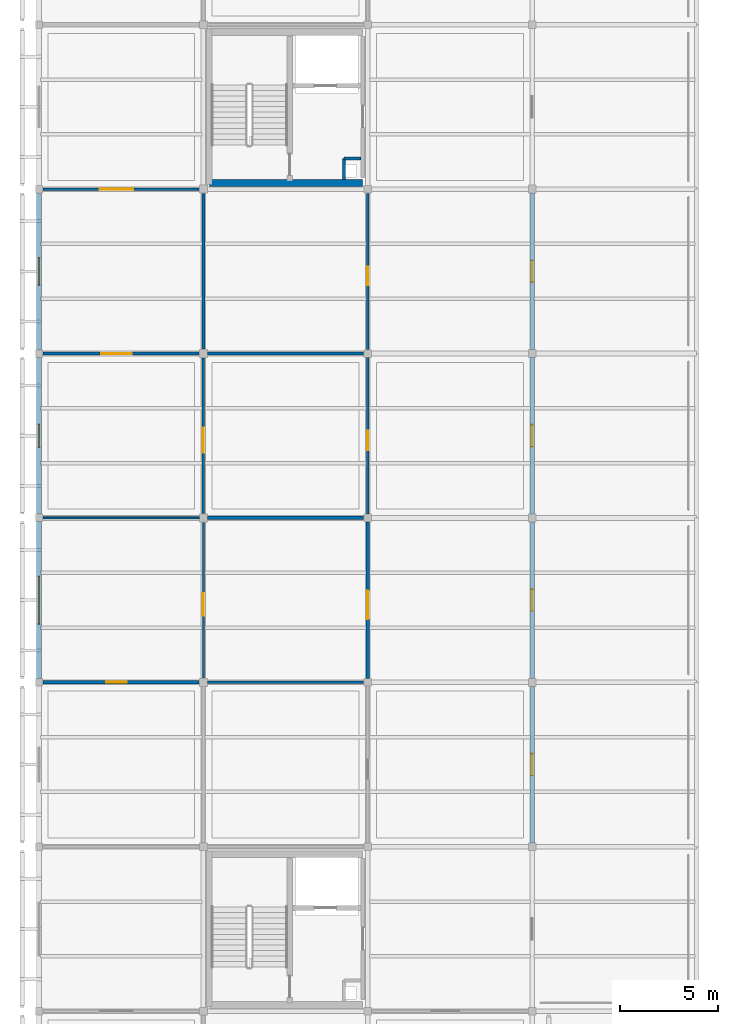
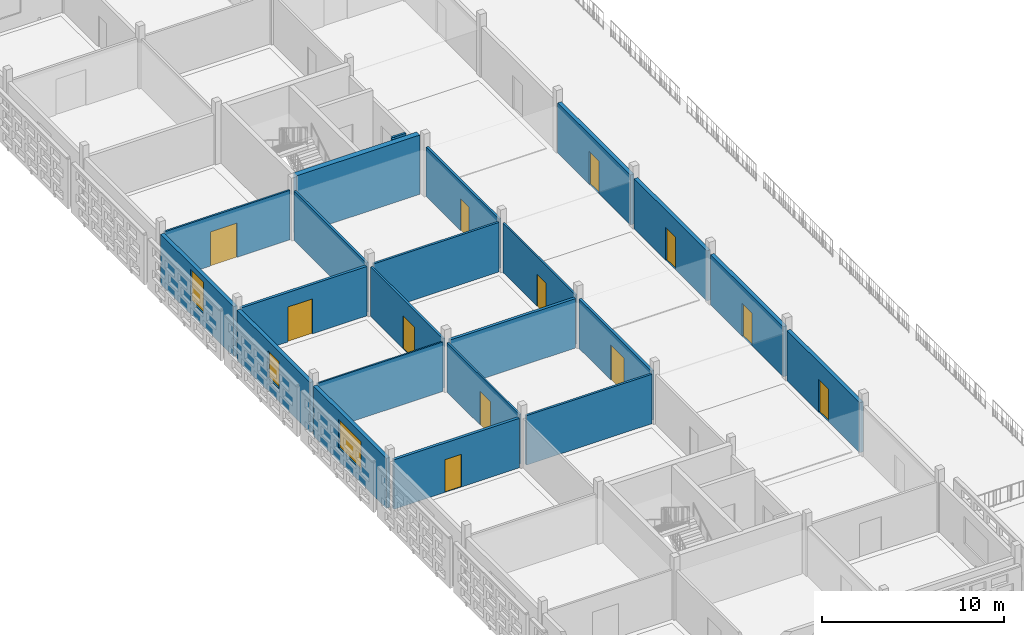
# One storey, part 19 of 31: 23 walls, 12 doors, 3 windows, 15 openings.
"""IFC4 building model written with IfcOpenShell, lengths in metres."""

from ifc_helpers import new_model, si_unit, direction, frame, frame_2d, origin, place, context, subcontext, project, spatial, rectangle, extrude, material, layer, layer_set, type_object, element, fill, save


model = new_model("IFC4")

# Units and contexts
model_context = context("Model", 3, precision=1e-05, world=origin(), true_north=direction((0.0, 1.0)))
body_context = subcontext(model_context, "Body", "Model", "MODEL_VIEW")
ifc_project = project(units=[si_unit("LENGTHUNIT", "METRE"), si_unit("AREAUNIT", "SQUARE_METRE"), si_unit("VOLUMEUNIT", "CUBIC_METRE"), si_unit("PLANEANGLEUNIT", "RADIAN"), si_unit("MASSUNIT", "GRAM", prefix="KILO")], contexts=[model_context])

# Site, building, storey
site_placement = place(None, origin())
site = spatial("IfcSite", under=ifc_project, at=site_placement, CompositionType="ELEMENT")
building_placement = place(site_placement, origin())
building = spatial("IfcBuilding", under=site, at=building_placement, Name="Varnapada Polytechnic", CompositionType="ELEMENT")
storey_placement = place(building_placement, frame((0.0, 0.0, 22.199951171875)))
storey = spatial("IfcBuildingStorey", under=building, at=storey_placement, Name="L05", CompositionType="ELEMENT", Elevation=22.199951171875)

# Walls
ifc_material_1 = material(Name="Autoclaved Aerated Concrete Block AAC-600", Category="concrete")
ifc_layer_1 = layer(ifc_material_1, 0.14990234375)
ifc_layer_set_1 = layer_set([ifc_layer_1], Name="Autoclaved Aerated Concrete Block AAC-600")
wall_type_1 = type_object("IfcWallType", Name="Interior Wall IW-02", PredefinedType="PARTITIONING", material=ifc_layer_set_1)
wall_1_placement = place(storey_placement, frame((15.580078125, 102.360107421875, 0.0), z_axis=(0.0, 0.0, 1.0), x_axis=(0.0, -1.0, 0.0)))
element("IfcWall", 1, at=wall_1_placement, inside=storey, type_object=wall_type_1, Name="L05 C1 riser shaft west wall", PredefinedType="PARTITIONING", context=body_context, shape_type="SweptSolid", body=[
    extrude(rectangle(XDim=1.06005859375, YDim=0.14990234375, at=frame_2d((0.530029296875, 0.0))), origin(), (0.0, 0.0, 1.0), 3.320068359375),
])
wall_2_placement = place(storey_placement, frame((15.580078125, 102.360107421875, 0.0), z_axis=(0.0, 0.0, 1.0), x_axis=(1.0, 0.0, 0.0)))
element("IfcWall", 2, at=wall_2_placement, inside=storey, type_object=wall_type_1, Name="L05 C1 riser shaft north wall", PredefinedType="PARTITIONING", context=body_context, shape_type="SweptSolid", body=[
    extrude(rectangle(XDim=0.85986328125, YDim=0.14990234375, at=frame_2d((0.429931640625, 0.0))), origin(), (0.0, 0.0, 1.0), 3.320068359375),
])
ifc_material_2 = material(Name="Moisture-Resistant Cement Board Partition")
ifc_layer_2 = layer(ifc_material_2, 0.139892578125)
ifc_layer_set_2 = layer_set([ifc_layer_2], Name="Moisture-Resistant Cement Board Partition")
wall_type_2 = type_object("IfcWallType", Name="Interior Wall IW-04", PredefinedType="PARTITIONING", material=ifc_layer_set_2)
wall_3_placement = place(storey_placement, frame((8.39990234375, 92.6201171875, 0.0), z_axis=(0.0, 0.0, 1.0), x_axis=(0.0, 1.0, 0.0)))
element("IfcWall", 3, at=wall_3_placement, inside=storey, type_object=wall_type_2, Name="L05 interior partition IW-L05-00-11-V", PredefinedType="PARTITIONING", context=body_context, shape_type="SweptSolid", body=[
    extrude(rectangle(XDim=7.9599609375, YDim=0.139892578125, at=frame_2d((3.97998046875, 0.0))), origin(), (0.0, 0.0, 1.0), 3.320068359375),
])
for number, where, z_axis, x_axis, name in (
    (4, (8.6201171875, 75.60009765625, 0.0), (0.0, 0.0, 1.0), (1.0, 0.0, 0.0), "L05 interior partition IW-L05-01-08-H"),
    (5, (8.6201171875, 92.39990234375, 0.0), (0.0, 0.0, 1.0), (1.0, 0.0, 0.0), "L05 interior partition IW-L05-01-10-H"),
):
    element("IfcWall", number, at=place(storey_placement, frame(where, z_axis=z_axis, x_axis=x_axis)), inside=storey, type_object=wall_type_2, Name=name, PredefinedType="PARTITIONING", context=body_context, shape_type="SweptSolid", body=[
        extrude(rectangle(XDim=7.969970703125, YDim=0.139892578125, at=frame_2d((3.98486328125, 0.0))), origin(), (0.0, 0.0, 1.0), 3.320068359375),
    ])

# Wall, opening, door
wall_4_placement = place(storey_placement, frame((16.800048828125, 92.610107421875, 0.0), z_axis=(0.0, 0.0, 1.0), x_axis=(0.0, 1.0, 0.0)))
wall_4 = element("IfcWall", 6, at=wall_4_placement, inside=storey, type_object=wall_type_2, Name="L05 interior partition IW-L05-01-11-V", PredefinedType="PARTITIONING", context=body_context, shape_type="SweptSolid", body=[
    extrude(rectangle(XDim=7.97998046875, YDim=0.139892578125, at=frame_2d((3.989990234375, 0.0))), origin(), (0.0, 0.0, 1.0), 3.320068359375),
])
opening_1_placement = place(wall_4_placement, frame((3.27490234375, 0.0, 0.0)))
opening_1 = element("IfcOpeningElement", 7, at=opening_1_placement, cuts=wall_4, Name="Opening D-1327", PredefinedType="OPENING", context=body_context, shape_type="SweptSolid", body=[
    extrude(rectangle(XDim=0.949951171875, YDim=2.14990234375, at=frame_2d((0.47509765625, 1.074951171875))), frame((0.0, 0.079833984375, 0.0), z_axis=(0.0, -1.0, 0.0), x_axis=(1.0, 0.0, 0.0)), (0.0, 0.0, 1.0), 0.159912109375),
])
ifc_material_3 = material(Name="Moisture-Resistant HPL Timber", Category="wood")
door_type_1 = type_object("IfcDoorType", Name="Interior Door ID-03", OperationType="NOTDEFINED", PredefinedType="DOOR", material=ifc_material_3)
door_1_placement = place(opening_1_placement, origin())
door_1 = element("IfcDoor", 8, at=door_1_placement, inside=storey, type_object=door_type_1, Name="L05 interior room door D-1327", OperationType="SINGLE_SWING_RIGHT", OverallHeight=2.14990234375, OverallWidth=0.949951171875, PredefinedType="DOOR", context=body_context, shape_type="SweptSolid", body=[
    extrude(rectangle(XDim=0.949951171875, YDim=2.14990234375, at=frame_2d((0.47509765625, 1.074951171875))), frame((0.0, 0.02490234375, 0.0), z_axis=(0.0, -1.0, 0.0), x_axis=(1.0, 0.0, 0.0)), (0.0, 0.0, 1.0), 0.050048828125),
])
fill(opening_1, door_1)

ifc_material_4 = material(Name="Cross-laminated timber CLT C24", Category="wood")
ifc_layer_3 = layer(ifc_material_4, 0.159912109375)
ifc_layer_set_3 = layer_set([ifc_layer_3], Name="Cross-laminated timber CLT C24")
wall_type_3 = type_object("IfcWallType", Name="Interior Wall IW-05", PredefinedType="PARTITIONING", material=ifc_layer_set_3)
wall_5_placement = place(storey_placement, frame((16.800048828125, 75.81005859375, 0.0), z_axis=(0.0, 0.0, 1.0), x_axis=(0.0, 1.0, 0.0)))
wall_5 = element("IfcWall", 9, at=wall_5_placement, inside=storey, type_object=wall_type_3, Name="L05 interior partition IW-L05-01-09-V", PredefinedType="PARTITIONING", context=body_context, shape_type="SweptSolid", body=[
    extrude(rectangle(XDim=7.97998046875, YDim=0.159912109375, at=frame_2d((3.989990234375, 0.0))), origin(), (0.0, 0.0, 1.0), 3.320068359375),
])
opening_2_placement = place(wall_5_placement, frame((3.02490234375, 0.0, 0.0)))
opening_2 = element("IfcOpeningElement", 10, at=opening_2_placement, cuts=wall_5, Name="Opening D-1325", PredefinedType="OPENING", context=body_context, shape_type="SweptSolid", body=[
    extrude(rectangle(XDim=1.449951171875, YDim=2.35009765625, at=frame_2d((0.72509765625, 1.175048828125))), frame((0.0, 0.08984375, 0.0), z_axis=(0.0, -1.0, 0.0), x_axis=(1.0, 0.0, 0.0)), (0.0, 0.0, 1.0), 0.179931640625),
])
ifc_material_5 = material(Name="Galvanized Steel Z275", Category="steel")
door_type_2 = type_object("IfcDoorType", Name="Interior Door ID-18", OperationType="NOTDEFINED", PredefinedType="DOOR", material=ifc_material_5)
door_2_placement = place(opening_2_placement, frame((1.449951171875, 0.0, 0.0), z_axis=(0.0, 0.0, 1.0), x_axis=(-1.0, 0.0, 0.0)))
door_2 = element("IfcDoor", 11, at=door_2_placement, inside=storey, type_object=door_type_2, Name="L05 interior room door D-1325", OperationType="SINGLE_SWING_RIGHT", OverallHeight=2.35009765625, OverallWidth=1.449951171875, PredefinedType="DOOR", context=body_context, shape_type="SweptSolid", body=[
    extrude(rectangle(XDim=1.449951171875, YDim=2.35009765625, at=frame_2d((0.72509765625, 1.175048828125))), frame((0.0, 0.02490234375, 0.0), z_axis=(0.0, -1.0, 0.0), x_axis=(1.0, 0.0, 0.0)), (0.0, 0.0, 1.0), 0.050048828125),
])
fill(opening_2, door_2)

ifc_material_6 = material(Name="Acoustic Double-Stud Studio Partition")
ifc_layer_4 = layer(ifc_material_6, 0.179931640625)
ifc_layer_set_4 = layer_set([ifc_layer_4], Name="Acoustic Double-Stud Studio Partition")
wall_type_4 = type_object("IfcWallType", Name="Interior Wall IW-06", PredefinedType="PARTITIONING", material=ifc_layer_set_4)
wall_6_placement = place(storey_placement, frame((0.2099609375, 75.60009765625, 0.0), z_axis=(0.0, 0.0, 1.0), x_axis=(1.0, 0.0, 0.0)))
wall_6 = element("IfcWall", 12, at=wall_6_placement, inside=storey, type_object=wall_type_4, Name="L05 interior partition IW-L05-00-08-H", PredefinedType="PARTITIONING", context=body_context, shape_type="SweptSolid", body=[
    extrude(rectangle(XDim=7.969970703125, YDim=0.179931640625, at=frame_2d((3.98486328125, 0.0))), origin(), (0.0, 0.0, 1.0), 3.320068359375),
])
opening_3_placement = place(wall_6_placement, frame((3.22509765625, 0.0, 0.0)))
opening_3 = element("IfcOpeningElement", 13, at=opening_3_placement, cuts=wall_6, Name="Opening D-1316", PredefinedType="OPENING", context=body_context, shape_type="SweptSolid", body=[
    extrude(rectangle(XDim=1.050048828125, YDim=2.199951171875, at=frame_2d((0.52490234375, 1.10009765625))), frame((0.0, 0.099853515625, 0.0), z_axis=(0.0, -1.0, 0.0), x_axis=(1.0, 0.0, 0.0)), (0.0, 0.0, 1.0), 0.199951171875),
])
ifc_material_7 = material(Name="Solid Teak Hardwood Timber", Category="wood")
door_type_3 = type_object("IfcDoorType", Name="Interior Door ID-09", OperationType="NOTDEFINED", PredefinedType="DOOR", material=ifc_material_7)
door_3_placement = place(opening_3_placement, frame((1.050048828125, 0.0, 0.0), z_axis=(0.0, 0.0, 1.0), x_axis=(-1.0, 0.0, 0.0)))
door_3 = element("IfcDoor", 14, at=door_3_placement, inside=storey, type_object=door_type_3, Name="L05 interior room door D-1316", OperationType="SINGLE_SWING_LEFT", OverallHeight=2.199951171875, OverallWidth=1.050048828125, PredefinedType="DOOR", context=body_context, shape_type="SweptSolid", body=[
    extrude(rectangle(XDim=1.050048828125, YDim=2.199951171875, at=frame_2d((0.52490234375, 1.10009765625))), frame((0.0, 0.02490234375, 0.0), z_axis=(0.0, -1.0, 0.0), x_axis=(1.0, 0.0, 0.0)), (0.0, 0.0, 1.0), 0.050048828125),
])
fill(opening_3, door_3)

# Wall
wall_7_placement = place(storey_placement, frame((8.6201171875, 84.0, 0.0), z_axis=(0.0, 0.0, 1.0), x_axis=(1.0, 0.0, 0.0)))
element("IfcWall", 15, at=wall_7_placement, inside=storey, type_object=wall_type_4, Name="L05 interior partition IW-L05-01-09-H", PredefinedType="PARTITIONING", context=body_context, shape_type="SweptSolid", body=[
    extrude(rectangle(XDim=7.969970703125, YDim=0.179931640625, at=frame_2d((3.98486328125, 0.0))), origin(), (0.0, 0.0, 1.0), 3.320068359375),
])

# Wall, opening, door
ifc_material_8 = material(Name="Glazed Timber-Framed Studio Screen", Category="wood")
ifc_layer_5 = layer(ifc_material_8, 0.110107421875)
ifc_layer_set_5 = layer_set([ifc_layer_5], Name="Glazed Timber-Framed Studio Screen")
wall_type_5 = type_object("IfcWallType", Name="Interior Wall IW-07", PredefinedType="PARTITIONING", material=ifc_layer_set_5)
wall_8_placement = place(storey_placement, frame((8.39990234375, 75.820068359375, 0.0), z_axis=(0.0, 0.0, 1.0), x_axis=(0.0, 1.0, 0.0)))
wall_8 = element("IfcWall", 16, at=wall_8_placement, inside=storey, type_object=wall_type_5, Name="L05 interior partition IW-L05-00-09-V", PredefinedType="PARTITIONING", context=body_context, shape_type="SweptSolid", body=[
    extrude(rectangle(XDim=7.9599609375, YDim=0.110107421875, at=frame_2d((3.97998046875, 0.0))), origin(), (0.0, 0.0, 1.0), 3.320068359375),
])
opening_4_placement = place(wall_8_placement, frame((3.175048828125, 0.0, 0.0)))
opening_4 = element("IfcOpeningElement", 17, at=opening_4_placement, cuts=wall_8, Name="Opening D-1317", PredefinedType="OPENING", context=body_context, shape_type="SweptSolid", body=[
    extrude(rectangle(XDim=1.14990234375, YDim=2.25, at=frame_2d((0.574951171875, 1.125))), frame((0.0, 0.06494140625, 0.0), z_axis=(0.0, -1.0, 0.0), x_axis=(1.0, 0.0, 0.0)), (0.0, 0.0, 1.0), 0.130126953125),
])
ifc_material_9 = material(Name="Powder-Coated Aluminium 6063-T6", Category="aluminium")
door_type_4 = type_object("IfcDoorType", Name="Interior Door ID-10", OperationType="NOTDEFINED", PredefinedType="DOOR", material=ifc_material_9)
door_4_placement = place(opening_4_placement, origin())
door_4 = element("IfcDoor", 18, at=door_4_placement, inside=storey, type_object=door_type_4, Name="L05 interior room door D-1317", OperationType="SINGLE_SWING_RIGHT", OverallHeight=2.25, OverallWidth=1.14990234375, PredefinedType="DOOR", context=body_context, shape_type="SweptSolid", body=[
    extrude(rectangle(XDim=1.14990234375, YDim=2.25, at=frame_2d((0.574951171875, 1.125))), frame((0.0, 0.02490234375, 0.0), z_axis=(0.0, -1.0, 0.0), x_axis=(1.0, 0.0, 0.0)), (0.0, 0.0, 1.0), 0.050048828125),
])
fill(opening_4, door_4)

wall_9_placement = place(storey_placement, frame((16.800048828125, 84.2099609375, 0.0), z_axis=(0.0, 0.0, 1.0), x_axis=(0.0, 1.0, 0.0)))
wall_9 = element("IfcWall", 19, at=wall_9_placement, inside=storey, type_object=wall_type_5, Name="L05 interior partition IW-L05-01-10-V", PredefinedType="PARTITIONING", context=body_context, shape_type="SweptSolid", body=[
    extrude(rectangle(XDim=7.97998046875, YDim=0.110107421875, at=frame_2d((3.989990234375, 0.0))), origin(), (0.0, 0.0, 1.0), 3.320068359375),
])
opening_5_placement = place(wall_9_placement, frame((3.25, 0.0, 0.0)))
opening_5 = element("IfcOpeningElement", 20, at=opening_5_placement, cuts=wall_9, Name="Opening D-1326", PredefinedType="OPENING", context=body_context, shape_type="SweptSolid", body=[
    extrude(rectangle(XDim=1.0, YDim=2.14990234375, at=frame_2d((0.5, 1.074951171875))), frame((0.0, 0.06494140625, 0.0), z_axis=(0.0, -1.0, 0.0), x_axis=(1.0, 0.0, 0.0)), (0.0, 0.0, 1.0), 0.130126953125),
])
door_type_5 = type_object("IfcDoorType", Name="Interior Door ID-02", OperationType="NOTDEFINED", PredefinedType="DOOR", material=ifc_material_7)
door_5_placement = place(opening_5_placement, origin())
door_5 = element("IfcDoor", 21, at=door_5_placement, inside=storey, type_object=door_type_5, Name="L05 interior room door D-1326", OperationType="SINGLE_SWING_LEFT", OverallHeight=2.14990234375, OverallWidth=1.0, PredefinedType="DOOR", context=body_context, shape_type="SweptSolid", body=[
    extrude(rectangle(XDim=1.0, YDim=2.14990234375, at=frame_2d((0.5, 1.074951171875))), frame((0.0, 0.02490234375, 0.0), z_axis=(0.0, -1.0, 0.0), x_axis=(1.0, 0.0, 0.0)), (0.0, 0.0, 1.0), 0.050048828125),
])
fill(opening_5, door_5)

# Wall
ifc_material_10 = material(Name="Operable Acoustic Seminar Partition")
ifc_layer_6 = layer(ifc_material_10, 0.10009765625)
ifc_layer_set_6 = layer_set([ifc_layer_6], Name="Operable Acoustic Seminar Partition")
wall_type_6 = type_object("IfcWallType", Name="Interior Wall IW-08", PredefinedType="MOVABLE", material=ifc_layer_set_6)
wall_10_placement = place(storey_placement, frame((0.2099609375, 84.0, 0.0), z_axis=(0.0, 0.0, 1.0), x_axis=(1.0, 0.0, 0.0)))
element("IfcWall", 22, at=wall_10_placement, inside=storey, type_object=wall_type_6, Name="L05 interior partition IW-L05-00-09-H", PredefinedType="MOVABLE", context=body_context, shape_type="SweptSolid", body=[
    extrude(rectangle(XDim=7.969970703125, YDim=0.10009765625, at=frame_2d((3.98486328125, 0.0))), origin(), (0.0, 0.0, 1.0), 3.320068359375),
])

# Wall, opening, door
ifc_material_11 = material(Name="Calcium Silicate Acoustic Lab Partition")
ifc_layer_7 = layer(ifc_material_11, 0.135009765625)
ifc_layer_set_7 = layer_set([ifc_layer_7], Name="Calcium Silicate Acoustic Lab Partition")
wall_type_7 = type_object("IfcWallType", Name="Interior Wall IW-09", PredefinedType="PARTITIONING", material=ifc_layer_set_7)
wall_11_placement = place(storey_placement, frame((8.39990234375, 84.219970703125, 0.0), z_axis=(0.0, 0.0, 1.0), x_axis=(0.0, 1.0, 0.0)))
wall_11 = element("IfcWall", 23, at=wall_11_placement, inside=storey, type_object=wall_type_7, Name="L05 interior partition IW-L05-00-10-V", PredefinedType="PARTITIONING", context=body_context, shape_type="SweptSolid", body=[
    extrude(rectangle(XDim=7.9599609375, YDim=0.135009765625, at=frame_2d((3.97998046875, 0.0))), origin(), (0.0, 0.0, 1.0), 3.320068359375),
])
opening_6_placement = place(wall_11_placement, frame((3.10009765625, 0.0, 0.0)))
opening_6 = element("IfcOpeningElement", 24, at=opening_6_placement, cuts=wall_11, Name="Opening D-1318", PredefinedType="OPENING", context=body_context, shape_type="SweptSolid", body=[
    extrude(rectangle(XDim=1.300048828125, YDim=2.199951171875, at=frame_2d((0.64990234375, 1.10009765625))), frame((0.0, 0.077392578125, 0.0), z_axis=(0.0, -1.0, 0.0), x_axis=(1.0, 0.0, 0.0)), (0.0, 0.0, 1.0), 0.155029296875),
])
ifc_material_12 = material(Name="Acoustic Laminated Timber Leaf", Category="wood")
door_type_6 = type_object("IfcDoorType", Name="Interior Door ID-11", OperationType="NOTDEFINED", PredefinedType="DOOR", material=ifc_material_12)
door_6_placement = place(opening_6_placement, origin())
door_6 = element("IfcDoor", 25, at=door_6_placement, inside=storey, type_object=door_type_6, Name="L05 interior room door D-1318", OperationType="SINGLE_SWING_LEFT", OverallHeight=2.199951171875, OverallWidth=1.300048828125, PredefinedType="DOOR", context=body_context, shape_type="SweptSolid", body=[
    extrude(rectangle(XDim=1.300048828125, YDim=2.199951171875, at=frame_2d((0.64990234375, 1.10009765625))), frame((0.0, 0.02490234375, 0.0), z_axis=(0.0, -1.0, 0.0), x_axis=(1.0, 0.0, 0.0)), (0.0, 0.0, 1.0), 0.050048828125),
])
fill(opening_6, door_6)

ifc_material_13 = material(Name="Double-Layer Fireboard Workshop Wall")
ifc_layer_8 = layer(ifc_material_13, 0.169921875)
ifc_layer_set_8 = layer_set([ifc_layer_8], Name="Double-Layer Fireboard Workshop Wall")
wall_type_8 = type_object("IfcWallType", Name="Interior Wall IW-10", PredefinedType="PARTITIONING", material=ifc_layer_set_8)
wall_12_placement = place(storey_placement, frame((0.2099609375, 92.39990234375, 0.0), z_axis=(0.0, 0.0, 1.0), x_axis=(1.0, 0.0, 0.0)))
wall_12 = element("IfcWall", 26, at=wall_12_placement, inside=storey, type_object=wall_type_8, Name="L05 interior partition IW-L05-00-10-H", PredefinedType="PARTITIONING", context=body_context, shape_type="SweptSolid", body=[
    extrude(rectangle(XDim=7.969970703125, YDim=0.169921875, at=frame_2d((3.98486328125, 0.0))), origin(), (0.0, 0.0, 1.0), 3.320068359375),
])
opening_7_placement = place(wall_12_placement, frame((2.97509765625, 0.0, 0.0)))
opening_7 = element("IfcOpeningElement", 27, at=opening_7_placement, cuts=wall_12, Name="Opening D-1319", PredefinedType="OPENING", context=body_context, shape_type="SweptSolid", body=[
    extrude(rectangle(XDim=1.550048828125, YDim=2.35009765625, at=frame_2d((0.77490234375, 1.175048828125))), frame((0.0, 0.094970703125, 0.0), z_axis=(0.0, -1.0, 0.0), x_axis=(1.0, 0.0, 0.0)), (0.0, 0.0, 1.0), 0.18994140625),
])
door_type_7 = type_object("IfcDoorType", Name="Interior Door ID-12", OperationType="NOTDEFINED", PredefinedType="DOOR", material=ifc_material_5)
door_7_placement = place(opening_7_placement, frame((1.550048828125, 0.0, 0.0), z_axis=(0.0, 0.0, 1.0), x_axis=(-1.0, 0.0, 0.0)))
door_7 = element("IfcDoor", 28, at=door_7_placement, inside=storey, type_object=door_type_7, Name="L05 interior room door D-1319", OperationType="SINGLE_SWING_RIGHT", OverallHeight=2.35009765625, OverallWidth=1.550048828125, PredefinedType="DOOR", context=body_context, shape_type="SweptSolid", body=[
    extrude(rectangle(XDim=1.550048828125, YDim=2.35009765625, at=frame_2d((0.77490234375, 1.175048828125))), frame((0.0, 0.02490234375, 0.0), z_axis=(0.0, -1.0, 0.0), x_axis=(1.0, 0.0, 0.0)), (0.0, 0.0, 1.0), 0.050048828125),
])
fill(opening_7, door_7)

ifc_material_14 = material(Name="Timber-Stud Studio Critique Partition", Category="wood")
ifc_layer_9 = layer(ifc_material_14, 0.114990234375)
ifc_layer_set_9 = layer_set([ifc_layer_9], Name="Timber-Stud Studio Critique Partition")
wall_type_9 = type_object("IfcWallType", Name="Interior Wall IW-12", PredefinedType="PARTITIONING", material=ifc_layer_set_9)
wall_13_placement = place(storey_placement, frame((0.2099609375, 100.800048828125, 0.0), z_axis=(0.0, 0.0, 1.0), x_axis=(1.0, 0.0, 0.0)))
wall_13 = element("IfcWall", 29, at=wall_13_placement, inside=storey, type_object=wall_type_9, Name="L05 interior partition IW-L05-00-11-H", PredefinedType="PARTITIONING", context=body_context, shape_type="SweptSolid", body=[
    extrude(rectangle(XDim=7.969970703125, YDim=0.114990234375, at=frame_2d((3.98486328125, 0.0))), origin(), (0.0, 0.0, 1.0), 3.320068359375),
])
opening_8_placement = place(wall_13_placement, frame((2.89990234375, 0.0, 0.0)))
opening_8 = element("IfcOpeningElement", 30, at=opening_8_placement, cuts=wall_13, Name="Opening D-1320", PredefinedType="OPENING", context=body_context, shape_type="SweptSolid", body=[
    extrude(rectangle(XDim=1.699951171875, YDim=2.300048828125, at=frame_2d((0.85009765625, 1.14990234375))), frame((0.0, 0.0673828125, 0.0), z_axis=(0.0, -1.0, 0.0), x_axis=(1.0, 0.0, 0.0)), (0.0, 0.0, 1.0), 0.135009765625),
])
ifc_material_15 = material(Name="Acoustic Double Timber Leaf", Category="wood")
door_type_8 = type_object("IfcDoorType", Name="Interior Door ID-13", OperationType="NOTDEFINED", PredefinedType="DOOR", material=ifc_material_15)
door_8_placement = place(opening_8_placement, origin())
door_8 = element("IfcDoor", 31, at=door_8_placement, inside=storey, type_object=door_type_8, Name="L05 interior room door D-1320", OperationType="SINGLE_SWING_LEFT", OverallHeight=2.300048828125, OverallWidth=1.699951171875, PredefinedType="DOOR", context=body_context, shape_type="SweptSolid", body=[
    extrude(rectangle(XDim=1.699951171875, YDim=2.300048828125, at=frame_2d((0.85009765625, 1.14990234375))), frame((0.0, 0.02490234375, 0.0), z_axis=(0.0, -1.0, 0.0), x_axis=(1.0, 0.0, 0.0)), (0.0, 0.0, 1.0), 0.050048828125),
])
fill(opening_8, door_8)

# Wall
ifc_material_16 = material(Name="Concrete C40/50", Category="concrete")
ifc_layer_10 = layer(ifc_material_16, 0.35009765625)
ifc_layer_set_10 = layer_set([ifc_layer_10], Name="Concrete C40/50")
wall_type_10 = type_object("IfcWallType", Name="Interior Wall SW-01", PredefinedType="SHEAR", material=ifc_layer_set_10)
wall_14_placement = place(storey_placement, frame((16.5400390625, 101.1201171875, 0.0), z_axis=(0.0, 0.0, 1.0), x_axis=(-1.0, 0.0, 0.0)))
element("IfcWall", 32, at=wall_14_placement, inside=storey, type_object=wall_type_10, Name="L05 C1 core south shear wall", PredefinedType="SHEAR", context=body_context, shape_type="SweptSolid", body=[
    extrude(rectangle(XDim=7.840087890625, YDim=0.35009765625, at=frame_2d((3.919921875, 0.0))), origin(), (0.0, 0.0, 1.0), 3.97998046875),
])

# Wall, opening, window
ifc_material_17 = material(Name="Precast concrete C40/50", Category="concrete")
ifc_layer_11 = layer(ifc_material_17, 0.239990234375)
ifc_layer_set_11 = layer_set([ifc_layer_11], Name="Precast concrete C40/50")
wall_type_11 = type_object("IfcWallType", Name="Wall EW-06", PredefinedType="SOLIDWALL", material=ifc_layer_set_11)
wall_15_placement = place(storey_placement, frame((0.0, 75.7900390625, 0.0), z_axis=(0.0, 0.0, 1.0), x_axis=(0.0, 1.0, 0.0)))
wall_15 = element("IfcWall", 33, at=wall_15_placement, inside=storey, type_object=wall_type_11, Name="L05 exterior wall EW-06 (5)", PredefinedType="SOLIDWALL", context=body_context, shape_type="SweptSolid", body=[
    extrude(rectangle(XDim=8.02001953125, YDim=0.239990234375, at=frame_2d((4.010009765625, 0.0))), origin(), (0.0, 0.0, 1.0), 3.360107421875),
])
opening_9_placement = place(wall_15_placement, frame((2.784912109375, 0.0, 0.89990234375)))
opening_9 = element("IfcOpeningElement", 34, at=opening_9_placement, cuts=wall_15, Name="Opening WN-34", PredefinedType="OPENING", context=body_context, shape_type="SweptSolid", body=[
    extrude(rectangle(XDim=2.449951171875, YDim=1.89990234375, at=frame_2d((1.22509765625, 0.949951171875))), frame((0.0, 0.1298828125, 0.0), z_axis=(0.0, -1.0, 0.0), x_axis=(1.0, 0.0, 0.0)), (0.0, 0.0, 1.0), 0.260009765625),
])
ifc_material_18 = material(Name="Double low-E laminated glass", Category="glass")
window_type_1 = type_object("IfcWindowType", Name="Window WN-34", PartitioningType="SINGLE_PANEL", PredefinedType="WINDOW", material=ifc_material_18)
window_1_placement = place(opening_9_placement, origin())
window_1 = element("IfcWindow", 35, at=window_1_placement, inside=storey, type_object=window_type_1, Name="L05 window WN-34 (235)", OverallHeight=1.89990234375, OverallWidth=2.449951171875, PartitioningType="SINGLE_PANEL", PredefinedType="WINDOW", context=body_context, shape_type="SweptSolid", body=[
    extrude(rectangle(XDim=2.449951171875, YDim=1.89990234375, at=frame_2d((1.22509765625, 0.949951171875))), frame((0.0, 0.030029296875, 0.0), z_axis=(0.0, -1.0, 0.0), x_axis=(1.0, 0.0, 0.0)), (0.0, 0.0, 1.0), 0.06005859375),
])
fill(opening_9, window_1)

wall_16_placement = place(storey_placement, frame((0.0, 84.18994140625, 0.0), z_axis=(0.0, 0.0, 1.0), x_axis=(0.0, 1.0, 0.0)))
wall_16 = element("IfcWall", 36, at=wall_16_placement, inside=storey, type_object=wall_type_11, Name="L05 exterior wall EW-06 (6)", PredefinedType="SOLIDWALL", context=body_context, shape_type="SweptSolid", body=[
    extrude(rectangle(XDim=8.02001953125, YDim=0.239990234375, at=frame_2d((4.010009765625, 0.0))), origin(), (0.0, 0.0, 1.0), 3.360107421875),
])
opening_10_placement = place(wall_16_placement, frame((3.409912109375, 0.0, 0.89990234375)))
opening_10 = element("IfcOpeningElement", 37, at=opening_10_placement, cuts=wall_16, Name="Opening WN-01", PredefinedType="OPENING", context=body_context, shape_type="SweptSolid", body=[
    extrude(rectangle(XDim=1.199951171875, YDim=1.800048828125, at=frame_2d((0.60009765625, 0.89990234375))), frame((0.0, 0.1298828125, 0.0), z_axis=(0.0, -1.0, 0.0), x_axis=(1.0, 0.0, 0.0)), (0.0, 0.0, 1.0), 0.260009765625),
])
window_type_2 = type_object("IfcWindowType", Name="Window WN-01", PartitioningType="SINGLE_PANEL", PredefinedType="WINDOW", material=ifc_material_18)
window_2_placement = place(opening_10_placement, origin())
window_2 = element("IfcWindow", 38, at=window_2_placement, inside=storey, type_object=window_type_2, Name="L05 window WN-01 (236)", OverallHeight=1.800048828125, OverallWidth=1.199951171875, PartitioningType="SINGLE_PANEL", PredefinedType="WINDOW", context=body_context, shape_type="SweptSolid", body=[
    extrude(rectangle(XDim=1.199951171875, YDim=1.800048828125, at=frame_2d((0.60009765625, 0.89990234375))), frame((0.0, 0.030029296875, 0.0), z_axis=(0.0, -1.0, 0.0), x_axis=(1.0, 0.0, 0.0)), (0.0, 0.0, 1.0), 0.06005859375),
])
fill(opening_10, window_2)

wall_17_placement = place(storey_placement, frame((0.0, 92.590087890625, 0.0), z_axis=(0.0, 0.0, 1.0), x_axis=(0.0, 1.0, 0.0)))
wall_17 = element("IfcWall", 39, at=wall_17_placement, inside=storey, type_object=wall_type_11, Name="L05 exterior wall EW-06 (7)", PredefinedType="SOLIDWALL", context=body_context, shape_type="SweptSolid", body=[
    extrude(rectangle(XDim=8.02001953125, YDim=0.239990234375, at=frame_2d((4.010009765625, 0.0))), origin(), (0.0, 0.0, 1.0), 3.360107421875),
])
opening_11_placement = place(wall_17_placement, frame((3.31005859375, 0.0, 0.89990234375)))
opening_11 = element("IfcOpeningElement", 40, at=opening_11_placement, cuts=wall_17, Name="Opening WN-04", PredefinedType="OPENING", context=body_context, shape_type="SweptSolid", body=[
    extrude(rectangle(XDim=1.39990234375, YDim=2.10009765625, at=frame_2d((0.699951171875, 1.050048828125))), frame((0.0, 0.1298828125, 0.0), z_axis=(0.0, -1.0, 0.0), x_axis=(1.0, 0.0, 0.0)), (0.0, 0.0, 1.0), 0.260009765625),
])
window_type_3 = type_object("IfcWindowType", Name="Window WN-04", PartitioningType="SINGLE_PANEL", PredefinedType="WINDOW", material=ifc_material_18)
window_3_placement = place(opening_11_placement, origin())
window_3 = element("IfcWindow", 41, at=window_3_placement, inside=storey, type_object=window_type_3, Name="L05 window WN-04 (237)", OverallHeight=2.10009765625, OverallWidth=1.39990234375, PartitioningType="SINGLE_PANEL", PredefinedType="WINDOW", context=body_context, shape_type="SweptSolid", body=[
    extrude(rectangle(XDim=1.39990234375, YDim=2.10009765625, at=frame_2d((0.699951171875, 1.050048828125))), frame((0.0, 0.030029296875, 0.0), z_axis=(0.0, -1.0, 0.0), x_axis=(1.0, 0.0, 0.0)), (0.0, 0.0, 1.0), 0.06005859375),
])
fill(opening_11, window_3)

# Wall, opening, door
wall_18_placement = place(storey_placement, frame((25.199951171875, 75.39990234375, 0.0), z_axis=(0.0, 0.0, 1.0), x_axis=(0.0, -1.0, 0.0)))
wall_18 = element("IfcWall", 42, at=wall_18_placement, inside=storey, type_object=wall_type_11, Name="L05 exterior wall EW-06 (17)", PredefinedType="SOLIDWALL", context=body_context, shape_type="SweptSolid", body=[
    extrude(rectangle(XDim=8.0, YDim=0.239990234375, at=frame_2d((4.0, 0.0))), origin(), (0.0, 0.0, 1.0), 3.360107421875),
])
opening_12_placement = place(wall_18_placement, frame((3.449951171875, 0.0, 0.0)))
opening_12 = element("IfcOpeningElement", 43, at=opening_12_placement, cuts=wall_18, Name="Opening D-054", PredefinedType="OPENING", context=body_context, shape_type="SweptSolid", body=[
    extrude(rectangle(XDim=1.10009765625, YDim=2.199951171875, at=frame_2d((0.550048828125, 1.10009765625))), frame((0.0, 0.1298828125, 0.0), z_axis=(0.0, -1.0, 0.0), x_axis=(1.0, 0.0, 0.0)), (0.0, 0.0, 1.0), 0.260009765625),
])
ifc_material_19 = material(Name="Anodised aluminium and laminated glass", Category="aluminium")
door_type_9 = type_object("IfcDoorType", Name="Exterior Door ED-03", OperationType="NOTDEFINED", PredefinedType="DOOR", material=ifc_material_19)
door_9_placement = place(opening_12_placement, origin())
door_9 = element("IfcDoor", 44, at=door_9_placement, inside=storey, type_object=door_type_9, Name="L05 roof terrace access door D-054", OperationType="SINGLE_SWING_LEFT", OverallHeight=2.199951171875, OverallWidth=1.10009765625, PredefinedType="DOOR", context=body_context, shape_type="SweptSolid", body=[
    extrude(rectangle(XDim=1.10009765625, YDim=2.199951171875, at=frame_2d((0.550048828125, 1.10009765625))), frame((0.0, 0.02490234375, 0.0), z_axis=(0.0, -1.0, 0.0), x_axis=(1.0, 0.0, 0.0)), (0.0, 0.0, 1.0), 0.050048828125),
])
fill(opening_12, door_9)

wall_19_placement = place(storey_placement, frame((25.199951171875, 83.800048828125, 0.0), z_axis=(0.0, 0.0, 1.0), x_axis=(0.0, -1.0, 0.0)))
wall_19 = element("IfcWall", 45, at=wall_19_placement, inside=storey, type_object=wall_type_11, Name="L05 exterior wall EW-06 (18)", PredefinedType="SOLIDWALL", context=body_context, shape_type="SweptSolid", body=[
    extrude(rectangle(XDim=8.0, YDim=0.239990234375, at=frame_2d((4.0, 0.0))), origin(), (0.0, 0.0, 1.0), 3.360107421875),
])
opening_13_placement = place(wall_19_placement, frame((3.449951171875, 0.0, 0.0)))
opening_13 = element("IfcOpeningElement", 46, at=opening_13_placement, cuts=wall_19, Name="Opening D-055", PredefinedType="OPENING", context=body_context, shape_type="SweptSolid", body=[
    extrude(rectangle(XDim=1.10009765625, YDim=2.199951171875, at=frame_2d((0.550048828125, 1.10009765625))), frame((0.0, 0.1298828125, 0.0), z_axis=(0.0, -1.0, 0.0), x_axis=(1.0, 0.0, 0.0)), (0.0, 0.0, 1.0), 0.260009765625),
])
door_10_placement = place(opening_13_placement, origin())
door_10 = element("IfcDoor", 47, at=door_10_placement, inside=storey, type_object=door_type_9, Name="L05 roof terrace access door D-055", OperationType="SINGLE_SWING_RIGHT", OverallHeight=2.199951171875, OverallWidth=1.10009765625, PredefinedType="DOOR", context=body_context, shape_type="SweptSolid", body=[
    extrude(rectangle(XDim=1.10009765625, YDim=2.199951171875, at=frame_2d((0.550048828125, 1.10009765625))), frame((0.0, 0.02490234375, 0.0), z_axis=(0.0, -1.0, 0.0), x_axis=(1.0, 0.0, 0.0)), (0.0, 0.0, 1.0), 0.050048828125),
])
fill(opening_13, door_10)

wall_20_placement = place(storey_placement, frame((25.199951171875, 92.199951171875, 0.0), z_axis=(0.0, 0.0, 1.0), x_axis=(0.0, -1.0, 0.0)))
wall_20 = element("IfcWall", 48, at=wall_20_placement, inside=storey, type_object=wall_type_11, Name="L05 exterior wall EW-06 (19)", PredefinedType="SOLIDWALL", context=body_context, shape_type="SweptSolid", body=[
    extrude(rectangle(XDim=8.0, YDim=0.239990234375, at=frame_2d((4.0, 0.0))), origin(), (0.0, 0.0, 1.0), 3.360107421875),
])
opening_14_placement = place(wall_20_placement, frame((3.449951171875, 0.0, 0.0)))
opening_14 = element("IfcOpeningElement", 49, at=opening_14_placement, cuts=wall_20, Name="Opening D-056", PredefinedType="OPENING", context=body_context, shape_type="SweptSolid", body=[
    extrude(rectangle(XDim=1.10009765625, YDim=2.199951171875, at=frame_2d((0.550048828125, 1.10009765625))), frame((0.0, 0.1298828125, 0.0), z_axis=(0.0, -1.0, 0.0), x_axis=(1.0, 0.0, 0.0)), (0.0, 0.0, 1.0), 0.260009765625),
])
door_11_placement = place(opening_14_placement, origin())
door_11 = element("IfcDoor", 50, at=door_11_placement, inside=storey, type_object=door_type_9, Name="L05 roof terrace access door D-056", OperationType="SINGLE_SWING_LEFT", OverallHeight=2.199951171875, OverallWidth=1.10009765625, PredefinedType="DOOR", context=body_context, shape_type="SweptSolid", body=[
    extrude(rectangle(XDim=1.10009765625, YDim=2.199951171875, at=frame_2d((0.550048828125, 1.10009765625))), frame((0.0, 0.02490234375, 0.0), z_axis=(0.0, -1.0, 0.0), x_axis=(1.0, 0.0, 0.0)), (0.0, 0.0, 1.0), 0.050048828125),
])
fill(opening_14, door_11)

wall_21_placement = place(storey_placement, frame((25.199951171875, 100.60009765625, 0.0), z_axis=(0.0, 0.0, 1.0), x_axis=(0.0, -1.0, 0.0)))
wall_21 = element("IfcWall", 51, at=wall_21_placement, inside=storey, type_object=wall_type_11, Name="L05 exterior wall EW-06 (20)", PredefinedType="SOLIDWALL", context=body_context, shape_type="SweptSolid", body=[
    extrude(rectangle(XDim=8.0, YDim=0.239990234375, at=frame_2d((4.0, 0.0))), origin(), (0.0, 0.0, 1.0), 3.360107421875),
])
opening_15_placement = place(wall_21_placement, frame((3.449951171875, 0.0, 0.0)))
opening_15 = element("IfcOpeningElement", 52, at=opening_15_placement, cuts=wall_21, Name="Opening D-057", PredefinedType="OPENING", context=body_context, shape_type="SweptSolid", body=[
    extrude(rectangle(XDim=1.10009765625, YDim=2.199951171875, at=frame_2d((0.550048828125, 1.10009765625))), frame((0.0, 0.1298828125, 0.0), z_axis=(0.0, -1.0, 0.0), x_axis=(1.0, 0.0, 0.0)), (0.0, 0.0, 1.0), 0.260009765625),
])
door_12_placement = place(opening_15_placement, origin())
door_12 = element("IfcDoor", 53, at=door_12_placement, inside=storey, type_object=door_type_9, Name="L05 roof terrace access door D-057", OperationType="SINGLE_SWING_RIGHT", OverallHeight=2.199951171875, OverallWidth=1.10009765625, PredefinedType="DOOR", context=body_context, shape_type="SweptSolid", body=[
    extrude(rectangle(XDim=1.10009765625, YDim=2.199951171875, at=frame_2d((0.550048828125, 1.10009765625))), frame((0.0, 0.02490234375, 0.0), z_axis=(0.0, -1.0, 0.0), x_axis=(1.0, 0.0, 0.0)), (0.0, 0.0, 1.0), 0.050048828125),
])
fill(opening_15, door_12)

save(model, "model.ifc")
